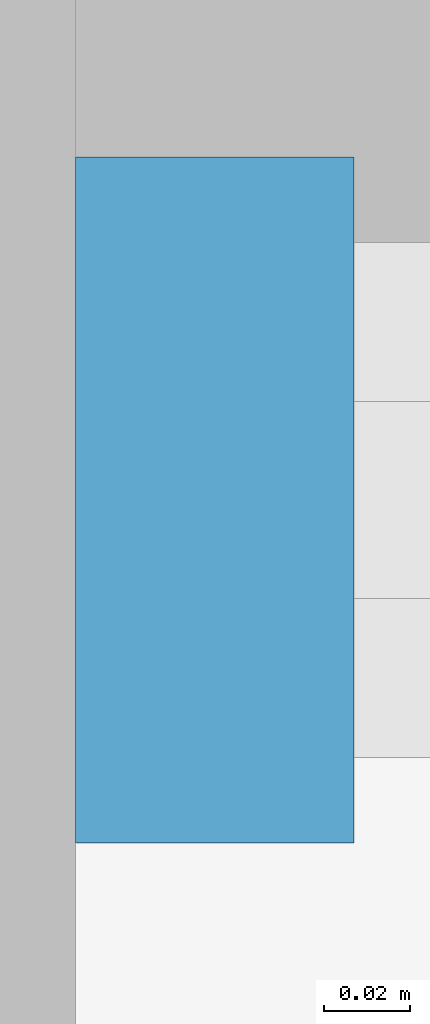
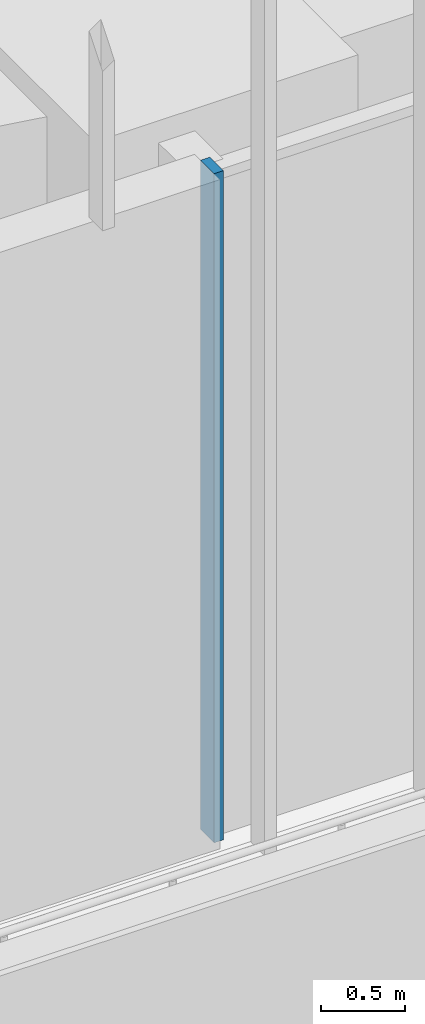
# One storey, part 29 of 228: 1 member, 1 element without a shape of its own.
"""IFC4 building model written with IfcOpenShell, lengths in metres."""

from ifc_helpers import new_model, si_unit, direction, frame, origin, origin_2d, place, context, subcontext, project, spatial, rectangle, extrude, material, material_profile, profile_set, type_object, element, aggregate, save


model = new_model("IFC4")

# Units and contexts
model_context = context("Model", 3, precision=1e-05, world=origin(), true_north=direction((0.0, 1.0)))
body_context = subcontext(model_context, "Body", "Model", "MODEL_VIEW")
ifc_project = project(units=[si_unit("LENGTHUNIT", "METRE"), si_unit("AREAUNIT", "SQUARE_METRE"), si_unit("VOLUMEUNIT", "CUBIC_METRE"), si_unit("PLANEANGLEUNIT", "RADIAN"), si_unit("MASSUNIT", "GRAM", prefix="KILO")], contexts=[model_context])

# Site, building, storey
site_placement = place(None, origin())
site = spatial("IfcSite", under=ifc_project, at=site_placement, CompositionType="ELEMENT")
building_placement = place(site_placement, origin())
building = spatial("IfcBuilding", under=site, at=building_placement, Name="Sandreach Pilgrim Tower", CompositionType="ELEMENT")
storey_placement = place(building_placement, frame((0.0, 0.0, 178.199951171875)))
storey = spatial("IfcBuildingStorey", under=building, at=storey_placement, Name="L44", CompositionType="ELEMENT", Elevation=178.199951171875)

# Curtain wall, member
ifc_material_1 = material(Name="Aluminium framed curtain wall", Category="aluminium")
curtain_wall_type = type_object("IfcCurtainWallType", Name="Upper hotel tower curtain wall", PredefinedType="NOTDEFINED", material=ifc_material_1)
curtain_wall_placement = place(storey_placement, origin())
curtain_wall = element("IfcCurtainWall", 1, at=curtain_wall_placement, inside=storey, type_object=curtain_wall_type, Name="CW-3 L44 SA", PredefinedType="NOTDEFINED")
ifc_material_2 = material(Name="Aluminium extrusion", Category="aluminium")
ifc_material_profile = material_profile(ifc_material_2, rectangle(XDim=0.06494140625, YDim=0.159912109375, at=origin_2d()), Name="CW-3M 65X160")
ifc_profile_set = profile_set([ifc_material_profile], Name="Aluminium extrusion")
member_type = type_object("IfcMemberType", Name="CW-3 mullion", PredefinedType="MULLION", material=ifc_profile_set)
member_placement = place(storey_placement, frame((-4.01611328125, -26.525146484375, 0.0), z_axis=(0.0, 0.0, 1.0), x_axis=(-1.0, 0.0, 0.0)))
member = element("IfcMember", 2, at=member_placement, type_object=member_type, Name="CW-3 mullion 4", PredefinedType="MULLION", context=body_context, shape_type="SweptSolid", body=[
    extrude(rectangle(XDim=0.06494140625, YDim=0.159912109375, at=origin_2d()), origin(), (0.0, 0.0, 1.0), 4.840087890625),
])
aggregate(curtain_wall, [member])

save(model, "model.ifc")
